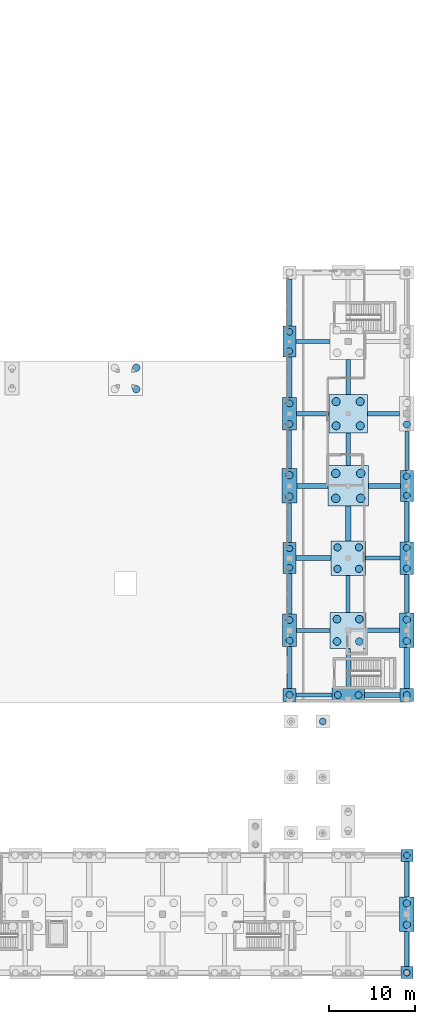
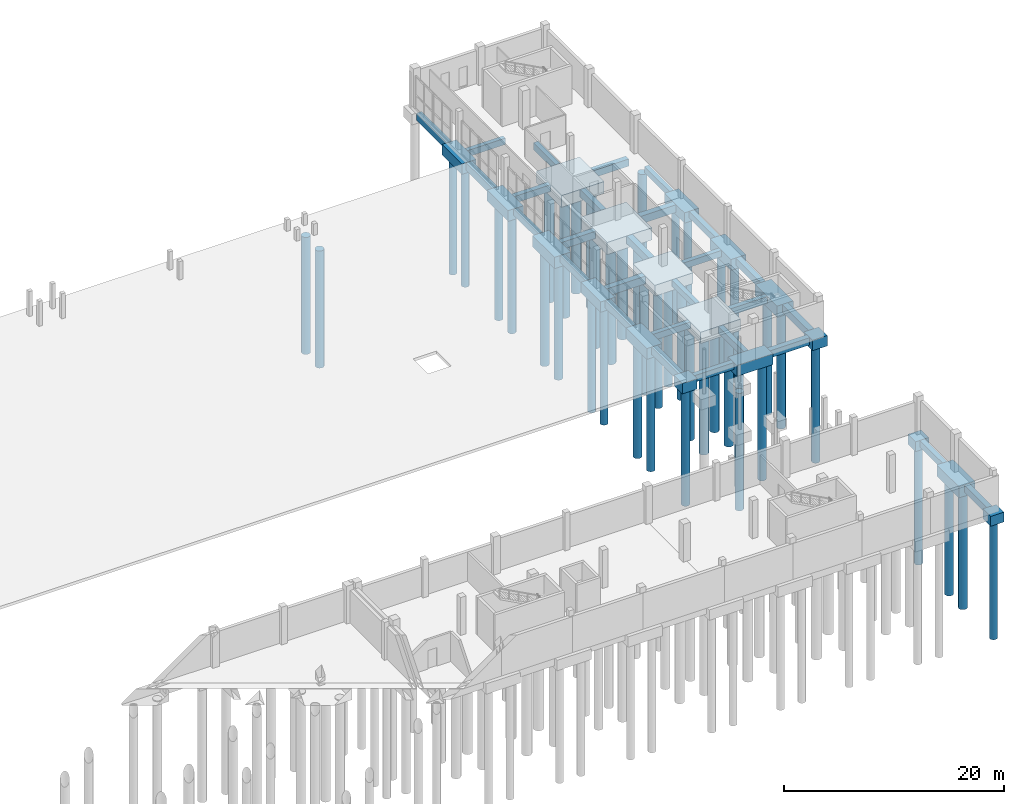
# One storey, part 9 of 41: 46 footings, 44 piles.
"""IFC4 building model written with IfcOpenShell, lengths in metres."""

from ifc_helpers import new_model, si_unit, direction, frame, origin, origin_2d, place, context, subcontext, project, spatial, rectangle, circle, extrude, material, material_profile, profile_set, type_object, element, save


model = new_model("IFC4")

# Units and contexts
model_context = context("Model", 3, precision=1e-05, world=origin(), true_north=direction((0.0, 1.0)))
body_context = subcontext(model_context, "Body", "Model", "MODEL_VIEW")
ifc_project = project(units=[si_unit("LENGTHUNIT", "METRE"), si_unit("AREAUNIT", "SQUARE_METRE"), si_unit("VOLUMEUNIT", "CUBIC_METRE"), si_unit("PLANEANGLEUNIT", "RADIAN"), si_unit("MASSUNIT", "GRAM", prefix="KILO")], contexts=[model_context])

# Site, building, storey
site_placement = place(None, origin())
site = spatial("IfcSite", under=ifc_project, at=site_placement, CompositionType="ELEMENT")
building_placement = place(site_placement, origin())
building = spatial("IfcBuilding", under=site, at=building_placement, Name="Vardoun Plaza Health Centre", CompositionType="ELEMENT")
storey_placement = place(building_placement, frame((0.0, 0.0, -4.5)))
storey = spatial("IfcBuildingStorey", under=building, at=storey_placement, Name="B1", CompositionType="ELEMENT", Elevation=-4.5)

# Footings
ifc_material_1 = material(Name="Concrete C40/50", Category="concrete")
footing_type_1 = type_object("IfcFootingType", Name="PC-01", PredefinedType="PILE_CAP", material=ifc_material_1)
for number, where, z_axis, x_axis, name in (
    (1, (164.919921875, 4.8798828125, -1.52001953125), (0.0, 0.0, 1.0), (1.0, 0.0, 0.0), "V5 Pile Cap PC-V5-25"),
    (2, (164.919921875, 18.52001953125, -1.52001953125), (0.0, 0.0, 1.0), (1.0, 0.0, 0.0), "V5 Pile Cap PC-V5-27"),
):
    element("IfcFooting", number, at=place(storey_placement, frame(where, z_axis=z_axis, x_axis=x_axis)), inside=storey, type_object=footing_type_1, Name=name, PredefinedType="PILE_CAP", context=body_context, shape_type="SweptSolid", body=[
        extrude(rectangle(XDim=1.39990234375, YDim=1.39990234375, at=origin_2d()), origin(), (0.0, 0.0, 1.0), 1.10009765625),
    ])
ifc_material_2 = material(Name="Concrete C40/50", Category="concrete")
footing_type_2 = type_object("IfcFootingType", Name="PC-02", PredefinedType="PILE_CAP", material=ifc_material_2)
for number, where, z_axis, x_axis, name in (
    (3, (151.280029296875, 37.179931640625, -1.570068359375), (0.0, 0.0, 1.0), (1.0, 0.0, 0.0), "V6 Pile Cap PC-V6-01"),
    (4, (164.919921875, 37.179931640625, -1.570068359375), (0.0, 0.0, 1.0), (1.0, 0.0, 0.0), "V6 Pile Cap PC-V6-15"),
):
    element("IfcFooting", number, at=place(storey_placement, frame(where, z_axis=z_axis, x_axis=x_axis)), inside=storey, type_object=footing_type_2, Name=name, PredefinedType="PILE_CAP", context=body_context, shape_type="SweptSolid", body=[
        extrude(rectangle(XDim=1.550048828125, YDim=1.550048828125, at=origin_2d()), origin(), (0.0, 0.0, 1.0), 1.14990234375),
    ])
ifc_material_3 = material(Name="Concrete C40/50", Category="concrete")
footing_type_3 = type_object("IfcFootingType", Name="PC-03", PredefinedType="PILE_CAP", material=ifc_material_3)
for number, where, z_axis, x_axis, name in (
    (5, (151.280029296875, 53.10009765625, -1.570068359375), (0.0, 0.0, 1.0), (0.0, 1.0, 0.0), "V6 Pile Cap PC-V6-03"),
    (6, (151.280029296875, 78.300048828125, -1.570068359375), (0.0, 0.0, 1.0), (0.0, 1.0, 0.0), "V6 Pile Cap PC-V6-06"),
    (7, (164.919921875, 61.5, -1.570068359375), (0.0, 0.0, 1.0), (0.0, 1.0, 0.0), "V6 Pile Cap PC-V6-18"),
):
    element("IfcFooting", number, at=place(storey_placement, frame(where, z_axis=z_axis, x_axis=x_axis)), inside=storey, type_object=footing_type_3, Name=name, PredefinedType="PILE_CAP", context=body_context, shape_type="SweptSolid", body=[
        extrude(rectangle(XDim=3.60009765625, YDim=1.5, at=origin_2d()), origin(), (0.0, 0.0, 1.0), 1.14990234375),
    ])
ifc_material_4 = material(Name="Concrete C40/50", Category="concrete")
footing_type_4 = type_object("IfcFootingType", Name="PC-04", PredefinedType="PILE_CAP", material=ifc_material_4)
for number, where, z_axis, x_axis, name in (
    (8, (151.280029296875, 44.699951171875, -1.6201171875), (0.0, 0.0, 1.0), (0.0, 1.0, 0.0), "V6 Pile Cap PC-V6-02"),
    (9, (151.280029296875, 69.89990234375, -1.6201171875), (0.0, 0.0, 1.0), (0.0, 1.0, 0.0), "V6 Pile Cap PC-V6-05"),
    (10, (158.10009765625, 37.179931640625, -1.6201171875), (0.0, 0.0, 1.0), (1.0, 0.0, 0.0), "V6 Pile Cap PC-V6-08"),
    (11, (164.919921875, 53.10009765625, -1.6201171875), (0.0, 0.0, 1.0), (0.0, 1.0, 0.0), "V6 Pile Cap PC-V6-17"),
):
    element("IfcFooting", number, at=place(storey_placement, frame(where, z_axis=z_axis, x_axis=x_axis)), inside=storey, type_object=footing_type_4, Name=name, PredefinedType="PILE_CAP", context=body_context, shape_type="SweptSolid", body=[
        extrude(rectangle(XDim=3.800048828125, YDim=1.60009765625, at=origin_2d()), origin(), (0.0, 0.0, 1.0), 1.199951171875),
    ])
ifc_material_5 = material(Name="Concrete C40/50", Category="concrete")
footing_type_5 = type_object("IfcFootingType", Name="PC-05", PredefinedType="PILE_CAP", material=ifc_material_5)
for number, where, z_axis, x_axis, name in (
    (12, (164.919921875, 11.699951171875, -1.669921875), (0.0, 0.0, 1.0), (0.0, 1.0, 0.0), "V5 Pile Cap PC-V5-26"),
    (13, (151.280029296875, 61.5, -1.669921875), (0.0, 0.0, 1.0), (0.0, 1.0, 0.0), "V6 Pile Cap PC-V6-04"),
    (14, (164.919921875, 44.699951171875, -1.669921875), (0.0, 0.0, 1.0), (0.0, 1.0, 0.0), "V6 Pile Cap PC-V6-16"),
):
    element("IfcFooting", number, at=place(storey_placement, frame(where, z_axis=z_axis, x_axis=x_axis)), inside=storey, type_object=footing_type_5, Name=name, PredefinedType="PILE_CAP", context=body_context, shape_type="SweptSolid", body=[
        extrude(rectangle(XDim=4.0, YDim=1.699951171875, at=origin_2d()), origin(), (0.0, 0.0, 1.0), 1.25),
    ])
ifc_material_6 = material(Name="Concrete C40/50", Category="concrete")
footing_type_6 = type_object("IfcFootingType", Name="PC-06", PredefinedType="PILE_CAP", material=ifc_material_6)
footing_1_placement = place(storey_placement, frame((158.10009765625, 53.10009765625, -1.6201171875), z_axis=(0.0, 0.0, 1.0), x_axis=(1.0, 0.0, 0.0)))
element("IfcFooting", 15, at=footing_1_placement, inside=storey, type_object=footing_type_6, Name="V6 Pile Cap PC-V6-10", PredefinedType="PILE_CAP", context=body_context, shape_type="SweptSolid", body=[
    extrude(rectangle(XDim=4.0, YDim=4.0, at=origin_2d()), origin(), (0.0, 0.0, 1.0), 1.199951171875),
])
ifc_material_7 = material(Name="Concrete C40/50", Category="concrete")
footing_type_7 = type_object("IfcFootingType", Name="PC-07", PredefinedType="PILE_CAP", material=ifc_material_7)
footing_2_placement = place(storey_placement, frame((158.10009765625, 44.699951171875, -1.669921875), z_axis=(0.0, 0.0, 1.0), x_axis=(1.0, 0.0, 0.0)))
element("IfcFooting", 16, at=footing_2_placement, inside=storey, type_object=footing_type_7, Name="V6 Pile Cap PC-V6-09", PredefinedType="PILE_CAP", context=body_context, shape_type="SweptSolid", body=[
    extrude(rectangle(XDim=4.199951171875, YDim=4.199951171875, at=origin_2d()), origin(), (0.0, 0.0, 1.0), 1.25),
])
ifc_material_8 = material(Name="Concrete C40/50", Category="concrete")
footing_type_8 = type_object("IfcFootingType", Name="PC-08", PredefinedType="PILE_CAP", material=ifc_material_8)
footing_3_placement = place(storey_placement, frame((158.10009765625, 69.89990234375, -1.72021484375), z_axis=(0.0, 0.0, 1.0), x_axis=(1.0, 0.0, 0.0)))
element("IfcFooting", 17, at=footing_3_placement, inside=storey, type_object=footing_type_8, Name="V6 Pile Cap PC-V6-12", PredefinedType="PILE_CAP", context=body_context, shape_type="SweptSolid", body=[
    extrude(rectangle(XDim=4.5, YDim=4.5, at=origin_2d()), origin(), (0.0, 0.0, 1.0), 1.300048828125),
])
ifc_material_9 = material(Name="Concrete C40/50", Category="concrete")
footing_type_9 = type_object("IfcFootingType", Name="PC-09", PredefinedType="PILE_CAP", material=ifc_material_9)
footing_4_placement = place(storey_placement, frame((158.10009765625, 61.5, -1.77001953125), z_axis=(0.0, 0.0, 1.0), x_axis=(1.0, 0.0, 0.0)))
element("IfcFooting", 18, at=footing_4_placement, inside=storey, type_object=footing_type_9, Name="V6 Pile Cap PC-V6-11", PredefinedType="PILE_CAP", context=body_context, shape_type="SweptSolid", body=[
    extrude(rectangle(XDim=4.699951171875, YDim=4.699951171875, at=origin_2d()), origin(), (0.0, 0.0, 1.0), 1.35009765625),
])
ifc_material_10 = material(Name="Concrete C40/50", Category="concrete")
ifc_material_profile_1 = material_profile(ifc_material_10, rectangle(XDim=0.449951171875, YDim=0.699951171875, at=origin_2d()), Name="GB 450x700")
ifc_profile_set_1 = profile_set([ifc_material_profile_1], Name="Concrete C40/50")
footing_type_10 = type_object("IfcFootingType", Name="GB-01", PredefinedType="FOOTING_BEAM", material=ifc_profile_set_1)
footing_5_placement = place(storey_placement, frame((152.080078125, 44.699951171875, -0.77001953125), z_axis=(1.0, 0.0, 0.0), x_axis=(0.0, 1.0, 0.0)))
element("IfcFooting", 19, at=footing_5_placement, inside=storey, type_object=footing_type_10, Name="V6 Ground Tie Beam 2", PredefinedType="FOOTING_BEAM", context=body_context, shape_type="SweptSolid", body=[
    extrude(rectangle(XDim=0.449951171875, YDim=0.699951171875, at=origin_2d()), origin(), (0.0, 0.0, 1.0), 3.919921875),
])
footing_6_placement = place(storey_placement, frame((152.030029296875, 78.300048828125, -0.77001953125), z_axis=(1.0, 0.0, 0.0), x_axis=(0.0, 1.0, 0.0)))
element("IfcFooting", 20, at=footing_6_placement, inside=storey, type_object=footing_type_10, Name="V6 Ground Tie Beam 6", PredefinedType="FOOTING_BEAM", context=body_context, shape_type="SweptSolid", body=[
    extrude(rectangle(XDim=0.449951171875, YDim=0.699951171875, at=origin_2d()), origin(), (0.0, 0.0, 1.0), 3.969970703125),
])
footing_7_placement = place(storey_placement, frame((160.10009765625, 53.10009765625, -0.77001953125), z_axis=(1.0, 0.0, 0.0), x_axis=(0.0, 1.0, 0.0)))
element("IfcFooting", 21, at=footing_7_placement, inside=storey, type_object=footing_type_10, Name="V6 Ground Tie Beam 10", PredefinedType="FOOTING_BEAM", context=body_context, shape_type="SweptSolid", body=[
    extrude(rectangle(XDim=0.449951171875, YDim=0.699951171875, at=origin_2d()), origin(), (0.0, 0.0, 1.0), 4.02001953125),
])
footing_8_placement = place(storey_placement, frame((151.280029296875, 63.5, -0.77001953125), z_axis=(0.0, 1.0, 0.0), x_axis=(-1.0, 0.0, 0.0)))
element("IfcFooting", 22, at=footing_8_placement, inside=storey, type_object=footing_type_10, Name="V6 Ground Tie Beam 18", PredefinedType="FOOTING_BEAM", context=body_context, shape_type="SweptSolid", body=[
    extrude(rectangle(XDim=0.449951171875, YDim=0.699951171875, at=origin_2d()), origin(), (0.0, 0.0, 1.0), 4.5),
])
footing_9_placement = place(storey_placement, frame((158.10009765625, 46.800048828125, -0.77001953125), z_axis=(0.0, 1.0, 0.0), x_axis=(-1.0, 0.0, 0.0)))
element("IfcFooting", 23, at=footing_9_placement, inside=storey, type_object=footing_type_10, Name="V6 Ground Tie Beam 22", PredefinedType="FOOTING_BEAM", context=body_context, shape_type="SweptSolid", body=[
    extrude(rectangle(XDim=0.449951171875, YDim=0.699951171875, at=origin_2d()), origin(), (0.0, 0.0, 1.0), 4.300048828125),
])
footing_10_placement = place(storey_placement, frame((164.919921875, 63.300048828125, -0.77001953125), z_axis=(0.0, 1.0, 0.0), x_axis=(-1.0, 0.0, 0.0)))
element("IfcFooting", 24, at=footing_10_placement, inside=storey, type_object=footing_type_10, Name="V6 Ground Tie Beam 30", PredefinedType="FOOTING_BEAM", context=body_context, shape_type="SweptSolid", body=[
    extrude(rectangle(XDim=0.449951171875, YDim=0.699951171875, at=origin_2d()), origin(), (0.0, 0.0, 1.0), 4.60009765625),
])
ifc_material_11 = material(Name="Concrete C40/50", Category="concrete")
ifc_material_profile_2 = material_profile(ifc_material_11, rectangle(XDim=0.5, YDim=0.75, at=origin_2d()), Name="GB 500x750")
ifc_profile_set_2 = profile_set([ifc_material_profile_2], Name="Concrete C40/50")
footing_type_11 = type_object("IfcFootingType", Name="GB-02", PredefinedType="FOOTING_BEAM", material=ifc_profile_set_2)
footing_11_placement = place(storey_placement, frame((164.919921875, 13.699951171875, -0.794921875), z_axis=(0.0, 1.0, 0.0), x_axis=(-1.0, 0.0, 0.0)))
element("IfcFooting", 25, at=footing_11_placement, inside=storey, type_object=footing_type_11, Name="V5 Ground Tie Beam 42", PredefinedType="FOOTING_BEAM", context=body_context, shape_type="SweptSolid", body=[
    extrude(rectangle(XDim=0.5, YDim=0.75, at=origin_2d()), origin(), (0.0, 0.0, 1.0), 4.1201171875),
])
footing_12_placement = place(storey_placement, frame((152.054931640625, 37.179931640625, -0.794921875), z_axis=(1.0, 0.0, 0.0), x_axis=(0.0, 1.0, 0.0)))
element("IfcFooting", 26, at=footing_12_placement, inside=storey, type_object=footing_type_11, Name="V6 Ground Tie Beam 1", PredefinedType="FOOTING_BEAM", context=body_context, shape_type="SweptSolid", body=[
    extrude(rectangle(XDim=0.5, YDim=0.75, at=origin_2d()), origin(), (0.0, 0.0, 1.0), 4.14501953125),
])
footing_13_placement = place(storey_placement, frame((152.080078125, 69.900146484375, -0.794921875), z_axis=(1.0, 0.0, 0.0), x_axis=(0.0, 1.0, 0.0)))
element("IfcFooting", 27, at=footing_13_placement, inside=storey, type_object=footing_type_11, Name="V6 Ground Tie Beam 5", PredefinedType="FOOTING_BEAM", context=body_context, shape_type="SweptSolid", body=[
    extrude(rectangle(XDim=0.5, YDim=0.75, at=origin_2d()), origin(), (0.0, 0.0, 1.0), 3.77001953125),
])
footing_14_placement = place(storey_placement, frame((160.199951171875, 44.699951171875, -0.794921875), z_axis=(1.0, 0.0, 0.0), x_axis=(0.0, 1.0, 0.0)))
element("IfcFooting", 28, at=footing_14_placement, inside=storey, type_object=footing_type_11, Name="V6 Ground Tie Beam 9", PredefinedType="FOOTING_BEAM", context=body_context, shape_type="SweptSolid", body=[
    extrude(rectangle(XDim=0.5, YDim=0.75, at=origin_2d()), origin(), (0.0, 0.0, 1.0), 3.8701171875),
])
footing_15_placement = place(storey_placement, frame((151.280029296875, 54.900146484375, -0.794921875), z_axis=(0.0, 1.0, 0.0), x_axis=(-1.0, 0.0, 0.0)))
element("IfcFooting", 29, at=footing_15_placement, inside=storey, type_object=footing_type_11, Name="V6 Ground Tie Beam 17", PredefinedType="FOOTING_BEAM", context=body_context, shape_type="SweptSolid", body=[
    extrude(rectangle(XDim=0.5, YDim=0.75, at=origin_2d()), origin(), (0.0, 0.0, 1.0), 4.599853515625),
])
footing_16_placement = place(storey_placement, frame((158.10009765625, 37.97998046875, -0.794921875), z_axis=(0.0, 1.0, 0.0), x_axis=(-1.0, 0.0, 0.0)))
element("IfcFooting", 30, at=footing_16_placement, inside=storey, type_object=footing_type_11, Name="V6 Ground Tie Beam 21", PredefinedType="FOOTING_BEAM", context=body_context, shape_type="SweptSolid", body=[
    extrude(rectangle(XDim=0.5, YDim=0.75, at=origin_2d()), origin(), (0.0, 0.0, 1.0), 4.6201171875),
])
footing_17_placement = place(storey_placement, frame((158.10009765625, 72.150146484375, -0.794921875), z_axis=(0.0, 1.0, 0.0), x_axis=(-1.0, 0.0, 0.0)))
element("IfcFooting", 31, at=footing_17_placement, inside=storey, type_object=footing_type_11, Name="V6 Ground Tie Beam 25", PredefinedType="FOOTING_BEAM", context=body_context, shape_type="SweptSolid", body=[
    extrude(rectangle(XDim=0.5, YDim=0.75, at=origin_2d()), origin(), (0.0, 0.0, 1.0), 4.0498046875),
])
footing_18_placement = place(storey_placement, frame((164.919921875, 55.0, -0.794921875), z_axis=(0.0, 1.0, 0.0), x_axis=(-1.0, 0.0, 0.0)))
element("IfcFooting", 32, at=footing_18_placement, inside=storey, type_object=footing_type_11, Name="V6 Ground Tie Beam 29", PredefinedType="FOOTING_BEAM", context=body_context, shape_type="SweptSolid", body=[
    extrude(rectangle(XDim=0.5, YDim=0.75, at=origin_2d()), origin(), (0.0, 0.0, 1.0), 4.699951171875),
])
ifc_material_12 = material(Name="Concrete C40/50", Category="concrete")
ifc_material_profile_3 = material_profile(ifc_material_12, rectangle(XDim=0.550048828125, YDim=0.800048828125, at=origin_2d()), Name="GB 550x800")
ifc_profile_set_3 = profile_set([ifc_material_profile_3], Name="Concrete C40/50")
footing_type_12 = type_object("IfcFootingType", Name="GB-03", PredefinedType="FOOTING_BEAM", material=ifc_profile_set_3)
footing_19_placement = place(storey_placement, frame((164.919921875, 5.580078125, -0.820068359375), z_axis=(0.0, 1.0, 0.0), x_axis=(-1.0, 0.0, 0.0)))
element("IfcFooting", 33, at=footing_19_placement, inside=storey, type_object=footing_type_12, Name="V5 Ground Tie Beam 41", PredefinedType="FOOTING_BEAM", context=body_context, shape_type="SweptSolid", body=[
    extrude(rectangle(XDim=0.550048828125, YDim=0.800048828125, at=origin_2d()), origin(), (0.0, 0.0, 1.0), 4.119873046875),
])
footing_20_placement = place(storey_placement, frame((152.1298828125, 61.5, -0.820068359375), z_axis=(1.0, 0.0, 0.0), x_axis=(0.0, 1.0, 0.0)))
element("IfcFooting", 34, at=footing_20_placement, inside=storey, type_object=footing_type_12, Name="V6 Ground Tie Beam 4", PredefinedType="FOOTING_BEAM", context=body_context, shape_type="SweptSolid", body=[
    extrude(rectangle(XDim=0.550048828125, YDim=0.800048828125, at=origin_2d()), origin(), (0.0, 0.0, 1.0), 3.6201171875),
])
footing_21_placement = place(storey_placement, frame((160.0, 37.179931640625, -0.820068359375), z_axis=(1.0, 0.0, 0.0), x_axis=(0.0, 1.0, 0.0)))
element("IfcFooting", 35, at=footing_21_placement, inside=storey, type_object=footing_type_12, Name="V6 Ground Tie Beam 8", PredefinedType="FOOTING_BEAM", context=body_context, shape_type="SweptSolid", body=[
    extrude(rectangle(XDim=0.550048828125, YDim=0.800048828125, at=origin_2d()), origin(), (0.0, 0.0, 1.0), 4.14501953125),
])
footing_22_placement = place(storey_placement, frame((160.35009765625, 69.900146484375, -0.820068359375), z_axis=(1.0, 0.0, 0.0), x_axis=(0.0, 1.0, 0.0)))
element("IfcFooting", 36, at=footing_22_placement, inside=storey, type_object=footing_type_12, Name="V6 Ground Tie Beam 12", PredefinedType="FOOTING_BEAM", context=body_context, shape_type="SweptSolid", body=[
    extrude(rectangle(XDim=0.550048828125, YDim=0.800048828125, at=origin_2d()), origin(), (0.0, 0.0, 1.0), 3.719970703125),
])
footing_23_placement = place(storey_placement, frame((151.280029296875, 46.60009765625, -0.820068359375), z_axis=(0.0, 1.0, 0.0), x_axis=(-1.0, 0.0, 0.0)))
element("IfcFooting", 37, at=footing_23_placement, inside=storey, type_object=footing_type_12, Name="V6 Ground Tie Beam 16", PredefinedType="FOOTING_BEAM", context=body_context, shape_type="SweptSolid", body=[
    extrude(rectangle(XDim=0.550048828125, YDim=0.800048828125, at=origin_2d()), origin(), (0.0, 0.0, 1.0), 4.699951171875),
])
footing_24_placement = place(storey_placement, frame((151.280029296875, 80.10009765625, -0.820068359375), z_axis=(0.0, 1.0, 0.0), x_axis=(-1.0, 0.0, 0.0)))
element("IfcFooting", 38, at=footing_24_placement, inside=storey, type_object=footing_type_12, Name="V6 Ground Tie Beam 20", PredefinedType="FOOTING_BEAM", context=body_context, shape_type="SweptSolid", body=[
    extrude(rectangle(XDim=0.550048828125, YDim=0.800048828125, at=origin_2d()), origin(), (0.0, 0.0, 1.0), 5.44482421875),
])
footing_25_placement = place(storey_placement, frame((158.10009765625, 63.85009765625, -0.820068359375), z_axis=(0.0, 1.0, 0.0), x_axis=(-1.0, 0.0, 0.0)))
element("IfcFooting", 39, at=footing_25_placement, inside=storey, type_object=footing_type_12, Name="V6 Ground Tie Beam 24", PredefinedType="FOOTING_BEAM", context=body_context, shape_type="SweptSolid", body=[
    extrude(rectangle(XDim=0.550048828125, YDim=0.800048828125, at=origin_2d()), origin(), (0.0, 0.0, 1.0), 3.800048828125),
])
footing_26_placement = place(storey_placement, frame((164.919921875, 46.699951171875, -0.820068359375), z_axis=(0.0, 1.0, 0.0), x_axis=(-1.0, 0.0, 0.0)))
element("IfcFooting", 40, at=footing_26_placement, inside=storey, type_object=footing_type_12, Name="V6 Ground Tie Beam 28", PredefinedType="FOOTING_BEAM", context=body_context, shape_type="SweptSolid", body=[
    extrude(rectangle(XDim=0.550048828125, YDim=0.800048828125, at=origin_2d()), origin(), (0.0, 0.0, 1.0), 4.5),
])
ifc_material_13 = material(Name="Concrete C40/50", Category="concrete")
ifc_material_profile_4 = material_profile(ifc_material_13, rectangle(XDim=0.60009765625, YDim=0.85009765625, at=origin_2d()), Name="GB 600x850")
ifc_profile_set_4 = profile_set([ifc_material_profile_4], Name="Concrete C40/50")
footing_type_13 = type_object("IfcFootingType", Name="GB-04", PredefinedType="FOOTING_BEAM", material=ifc_profile_set_4)
footing_27_placement = place(storey_placement, frame((152.030029296875, 53.10009765625, -0.844970703125), z_axis=(1.0, 0.0, 0.0), x_axis=(0.0, 1.0, 0.0)))
element("IfcFooting", 41, at=footing_27_placement, inside=storey, type_object=footing_type_13, Name="V6 Ground Tie Beam 3", PredefinedType="FOOTING_BEAM", context=body_context, shape_type="SweptSolid", body=[
    extrude(rectangle(XDim=0.60009765625, YDim=0.85009765625, at=origin_2d()), origin(), (0.0, 0.0, 1.0), 4.070068359375),
])
footing_28_placement = place(storey_placement, frame((160.449951171875, 61.5, -0.844970703125), z_axis=(1.0, 0.0, 0.0), x_axis=(0.0, 1.0, 0.0)))
element("IfcFooting", 42, at=footing_28_placement, inside=storey, type_object=footing_type_13, Name="V6 Ground Tie Beam 11", PredefinedType="FOOTING_BEAM", context=body_context, shape_type="SweptSolid", body=[
    extrude(rectangle(XDim=0.60009765625, YDim=0.85009765625, at=origin_2d()), origin(), (0.0, 0.0, 1.0), 3.719970703125),
])
footing_29_placement = place(storey_placement, frame((151.280029296875, 37.955078125, -0.844970703125), z_axis=(0.0, 1.0, 0.0), x_axis=(-1.0, 0.0, 0.0)))
element("IfcFooting", 43, at=footing_29_placement, inside=storey, type_object=footing_type_13, Name="V6 Ground Tie Beam 15", PredefinedType="FOOTING_BEAM", context=body_context, shape_type="SweptSolid", body=[
    extrude(rectangle(XDim=0.60009765625, YDim=0.85009765625, at=origin_2d()), origin(), (0.0, 0.0, 1.0), 4.844970703125),
])
footing_30_placement = place(storey_placement, frame((151.280029296875, 71.800048828125, -0.844970703125), z_axis=(0.0, 1.0, 0.0), x_axis=(-1.0, 0.0, 0.0)))
element("IfcFooting", 44, at=footing_30_placement, inside=storey, type_object=footing_type_13, Name="V6 Ground Tie Beam 19", PredefinedType="FOOTING_BEAM", context=body_context, shape_type="SweptSolid", body=[
    extrude(rectangle(XDim=0.60009765625, YDim=0.85009765625, at=origin_2d()), origin(), (0.0, 0.0, 1.0), 4.699951171875),
])
footing_31_placement = place(storey_placement, frame((158.10009765625, 55.10009765625, -0.844970703125), z_axis=(0.0, 1.0, 0.0), x_axis=(-1.0, 0.0, 0.0)))
element("IfcFooting", 45, at=footing_31_placement, inside=storey, type_object=footing_type_13, Name="V6 Ground Tie Beam 23", PredefinedType="FOOTING_BEAM", context=body_context, shape_type="SweptSolid", body=[
    extrude(rectangle(XDim=0.60009765625, YDim=0.85009765625, at=origin_2d()), origin(), (0.0, 0.0, 1.0), 4.050048828125),
])
footing_32_placement = place(storey_placement, frame((164.919921875, 37.955078125, -0.844970703125), z_axis=(0.0, 1.0, 0.0), x_axis=(-1.0, 0.0, 0.0)))
element("IfcFooting", 46, at=footing_32_placement, inside=storey, type_object=footing_type_13, Name="V6 Ground Tie Beam 27", PredefinedType="FOOTING_BEAM", context=body_context, shape_type="SweptSolid", body=[
    extrude(rectangle(XDim=0.60009765625, YDim=0.85009765625, at=origin_2d()), origin(), (0.0, 0.0, 1.0), 4.744873046875),
])

# Piles
ifc_material_14 = material(Name="Concrete C40/50", Category="concrete")
ifc_material_profile_5 = material_profile(ifc_material_14, circle(Radius=0.5, at=origin_2d()), Name="PILE D1000")
ifc_profile_set_5 = profile_set([ifc_material_profile_5], Name="Concrete C40/50")
pile_type_1 = type_object("IfcPileType", Name="PL-06", PredefinedType="BORED", material=ifc_profile_set_5)
for number, where, z_axis, x_axis, name in (
    (47, (156.64990234375, 60.050048828125, -1.669921875), (0.0, 0.0, -1.0), (1.0, 0.0, 0.0), "V6 Bored Pile PL-V6-11A"),
    (48, (159.550048828125, 60.050048828125, -1.669921875), (0.0, 0.0, -1.0), (1.0, 0.0, 0.0), "V6 Bored Pile PL-V6-11B"),
    (49, (156.64990234375, 62.949951171875, -1.669921875), (0.0, 0.0, -1.0), (1.0, 0.0, 0.0), "V6 Bored Pile PL-V6-11C"),
    (50, (159.550048828125, 62.949951171875, -1.669921875), (0.0, 0.0, -1.0), (1.0, 0.0, 0.0), "V6 Bored Pile PL-V6-11D"),
):
    element("IfcPile", number, at=place(storey_placement, frame(where, z_axis=z_axis, x_axis=x_axis)), inside=storey, type_object=pile_type_1, Name=name, PredefinedType="BORED", context=body_context, shape_type="SweptSolid", body=[
        extrude(circle(Radius=0.5, at=origin_2d()), origin(), (0.0, 0.0, 1.0), 12.830078125),
    ])
ifc_material_15 = material(Name="Concrete C40/50", Category="concrete")
ifc_material_profile_6 = material_profile(ifc_material_15, circle(Radius=0.375, at=origin_2d()), Name="PILE D750")
ifc_profile_set_6 = profile_set([ifc_material_profile_6], Name="Concrete C40/50")
pile_type_2 = type_object("IfcPileType", Name="PL-01", PredefinedType="BORED", material=ifc_profile_set_6)
for number, where, z_axis, x_axis, name in (
    (51, (164.919921875, 4.8798828125, -1.419921875), (0.0, 0.0, -1.0), (1.0, 0.0, 0.0), "V5 Bored Pile PL-V5-25A"),
    (52, (164.919921875, 18.52001953125, -1.419921875), (0.0, 0.0, -1.0), (1.0, 0.0, 0.0), "V5 Bored Pile PL-V5-27A"),
):
    element("IfcPile", number, at=place(storey_placement, frame(where, z_axis=z_axis, x_axis=x_axis)), inside=storey, type_object=pile_type_2, Name=name, PredefinedType="BORED", context=body_context, shape_type="SweptSolid", body=[
        extrude(circle(Radius=0.375, at=origin_2d()), origin(), (0.0, 0.0, 1.0), 13.080078125),
    ])
for number, where, z_axis, x_axis, name in (
    (53, (151.280029296875, 51.97998046875, -1.469970703125), (0.0, 0.0, -1.0), (1.0, 0.0, 0.0), "V6 Bored Pile PL-V6-03A"),
    (54, (151.280029296875, 54.219970703125, -1.469970703125), (0.0, 0.0, -1.0), (1.0, 0.0, 0.0), "V6 Bored Pile PL-V6-03B"),
    (55, (151.280029296875, 77.179931640625, -1.469970703125), (0.0, 0.0, -1.0), (1.0, 0.0, 0.0), "V6 Bored Pile PL-V6-06A"),
    (56, (151.280029296875, 79.419921875, -1.469970703125), (0.0, 0.0, -1.0), (1.0, 0.0, 0.0), "V6 Bored Pile PL-V6-06B"),
    (57, (164.919921875, 60.3798828125, -1.469970703125), (0.0, 0.0, -1.0), (1.0, 0.0, 0.0), "V6 Bored Pile PL-V6-18A"),
    (58, (164.919921875, 62.6201171875, -1.469970703125), (0.0, 0.0, -1.0), (1.0, 0.0, 0.0), "V6 Bored Pile PL-V6-18B"),
):
    element("IfcPile", number, at=place(storey_placement, frame(where, z_axis=z_axis, x_axis=x_axis)), inside=storey, type_object=pile_type_2, Name=name, PredefinedType="BORED", context=body_context, shape_type="SweptSolid", body=[
        extrude(circle(Radius=0.375, at=origin_2d()), origin(), (0.0, 0.0, 1.0), 13.030029296875),
    ])
ifc_material_16 = material(Name="Concrete C40/50", Category="concrete")
ifc_material_profile_7 = material_profile(ifc_material_16, circle(Radius=0.39990234375, at=origin_2d()), Name="PILE D800")
ifc_profile_set_7 = profile_set([ifc_material_profile_7], Name="Concrete C40/50")
pile_type_3 = type_object("IfcPileType", Name="PL-02", PredefinedType="BORED", material=ifc_profile_set_7)
pile_1_placement = place(storey_placement, frame((151.280029296875, 37.179931640625, -1.469970703125), z_axis=(0.0, 0.0, -1.0), x_axis=(1.0, 0.0, 0.0)))
element("IfcPile", 59, at=pile_1_placement, inside=storey, type_object=pile_type_3, Name="V6 Bored Pile PL-V6-01A", PredefinedType="BORED", context=body_context, shape_type="SweptSolid", body=[
    extrude(circle(Radius=0.39990234375, at=origin_2d()), origin(), (0.0, 0.0, 1.0), 13.030029296875),
])
for number, where, z_axis, x_axis, name in (
    (60, (151.280029296875, 43.5, -1.52001953125), (0.0, 0.0, -1.0), (1.0, 0.0, 0.0), "V6 Bored Pile PL-V6-02A"),
    (61, (151.280029296875, 45.89990234375, -1.52001953125), (0.0, 0.0, -1.0), (1.0, 0.0, 0.0), "V6 Bored Pile PL-V6-02B"),
    (62, (151.280029296875, 68.699951171875, -1.52001953125), (0.0, 0.0, -1.0), (1.0, 0.0, 0.0), "V6 Bored Pile PL-V6-05A"),
    (63, (151.280029296875, 71.10009765625, -1.52001953125), (0.0, 0.0, -1.0), (1.0, 0.0, 0.0), "V6 Bored Pile PL-V6-05B"),
    (64, (156.89990234375, 37.179931640625, -1.52001953125), (0.0, 0.0, -1.0), (1.0, 0.0, 0.0), "V6 Bored Pile PL-V6-08A"),
    (65, (159.300048828125, 37.179931640625, -1.52001953125), (0.0, 0.0, -1.0), (1.0, 0.0, 0.0), "V6 Bored Pile PL-V6-08B"),
):
    element("IfcPile", number, at=place(storey_placement, frame(where, z_axis=z_axis, x_axis=x_axis)), inside=storey, type_object=pile_type_3, Name=name, PredefinedType="BORED", context=body_context, shape_type="SweptSolid", body=[
        extrude(circle(Radius=0.39990234375, at=origin_2d()), origin(), (0.0, 0.0, 1.0), 12.97998046875),
    ])
pile_2_placement = place(storey_placement, frame((164.919921875, 37.179931640625, -1.469970703125), z_axis=(0.0, 0.0, -1.0), x_axis=(1.0, 0.0, 0.0)))
element("IfcPile", 66, at=pile_2_placement, inside=storey, type_object=pile_type_3, Name="V6 Bored Pile PL-V6-15A", PredefinedType="BORED", context=body_context, shape_type="SweptSolid", body=[
    extrude(circle(Radius=0.39990234375, at=origin_2d()), origin(), (0.0, 0.0, 1.0), 13.030029296875),
])
for number, where, z_axis, x_axis, name in (
    (67, (164.919921875, 51.89990234375, -1.52001953125), (0.0, 0.0, -1.0), (1.0, 0.0, 0.0), "V6 Bored Pile PL-V6-17A"),
    (68, (164.919921875, 54.300048828125, -1.52001953125), (0.0, 0.0, -1.0), (1.0, 0.0, 0.0), "V6 Bored Pile PL-V6-17B"),
):
    element("IfcPile", number, at=place(storey_placement, frame(where, z_axis=z_axis, x_axis=x_axis)), inside=storey, type_object=pile_type_3, Name=name, PredefinedType="BORED", context=body_context, shape_type="SweptSolid", body=[
        extrude(circle(Radius=0.39990234375, at=origin_2d()), origin(), (0.0, 0.0, 1.0), 12.97998046875),
    ])
pile_3_placement = place(storey_placement, frame((155.14990234375, 34.10009765625, -1.469970703125), z_axis=(0.0, 0.0, -1.0), x_axis=(1.0, 0.0, 0.0)))
element("IfcPile", 69, at=pile_3_placement, inside=storey, type_object=pile_type_3, Name="Bridge BR-05 Pier Bored Pile E.3", PredefinedType="BORED", context=body_context, shape_type="SweptSolid", body=[
    extrude(circle(Radius=0.39990234375, at=origin_2d()), origin(), (0.0, 0.0, 1.0), 13.030029296875),
])
ifc_material_17 = material(Name="Concrete C40/50", Category="concrete")
ifc_material_profile_8 = material_profile(ifc_material_17, circle(Radius=0.425048828125, at=origin_2d()), Name="PILE D850")
ifc_profile_set_8 = profile_set([ifc_material_profile_8], Name="Concrete C40/50")
pile_type_4 = type_object("IfcPileType", Name="PL-03", PredefinedType="BORED", material=ifc_profile_set_8)
for number, where, z_axis, x_axis, name in (
    (70, (164.919921875, 10.449951171875, -1.570068359375), (0.0, 0.0, -1.0), (1.0, 0.0, 0.0), "V5 Bored Pile PL-V5-26A"),
    (71, (164.919921875, 12.949951171875, -1.570068359375), (0.0, 0.0, -1.0), (1.0, 0.0, 0.0), "V5 Bored Pile PL-V5-26B"),
    (72, (151.280029296875, 60.25, -1.570068359375), (0.0, 0.0, -1.0), (1.0, 0.0, 0.0), "V6 Bored Pile PL-V6-04A"),
    (73, (151.280029296875, 62.75, -1.570068359375), (0.0, 0.0, -1.0), (1.0, 0.0, 0.0), "V6 Bored Pile PL-V6-04B"),
):
    element("IfcPile", number, at=place(storey_placement, frame(where, z_axis=z_axis, x_axis=x_axis)), inside=storey, type_object=pile_type_4, Name=name, PredefinedType="BORED", context=body_context, shape_type="SweptSolid", body=[
        extrude(circle(Radius=0.425048828125, at=origin_2d()), origin(), (0.0, 0.0, 1.0), 12.929931640625),
    ])
for number, where, z_axis, x_axis, name in (
    (74, (156.85009765625, 51.85009765625, -1.52001953125), (0.0, 0.0, -1.0), (1.0, 0.0, 0.0), "V6 Bored Pile PL-V6-10A"),
    (75, (159.35009765625, 51.85009765625, -1.52001953125), (0.0, 0.0, -1.0), (1.0, 0.0, 0.0), "V6 Bored Pile PL-V6-10B"),
    (76, (156.85009765625, 54.35009765625, -1.52001953125), (0.0, 0.0, -1.0), (1.0, 0.0, 0.0), "V6 Bored Pile PL-V6-10C"),
    (77, (159.35009765625, 54.35009765625, -1.52001953125), (0.0, 0.0, -1.0), (1.0, 0.0, 0.0), "V6 Bored Pile PL-V6-10D"),
):
    element("IfcPile", number, at=place(storey_placement, frame(where, z_axis=z_axis, x_axis=x_axis)), inside=storey, type_object=pile_type_4, Name=name, PredefinedType="BORED", context=body_context, shape_type="SweptSolid", body=[
        extrude(circle(Radius=0.425048828125, at=origin_2d()), origin(), (0.0, 0.0, 1.0), 12.97998046875),
    ])
for number, where, z_axis, x_axis, name in (
    (78, (164.919921875, 43.449951171875, -1.570068359375), (0.0, 0.0, -1.0), (1.0, 0.0, 0.0), "V6 Bored Pile PL-V6-16A"),
    (79, (164.919921875, 45.949951171875, -1.570068359375), (0.0, 0.0, -1.0), (1.0, 0.0, 0.0), "V6 Bored Pile PL-V6-16B"),
    (80, (164.919921875, 68.64990234375, -1.570068359375), (0.0, 0.0, -1.0), (1.0, 0.0, 0.0), "V6 Bored Pile PL-V6-19A"),
):
    element("IfcPile", number, at=place(storey_placement, frame(where, z_axis=z_axis, x_axis=x_axis)), inside=storey, type_object=pile_type_4, Name=name, PredefinedType="BORED", context=body_context, shape_type="SweptSolid", body=[
        extrude(circle(Radius=0.425048828125, at=origin_2d()), origin(), (0.0, 0.0, 1.0), 12.929931640625),
    ])
for number, where, z_axis, x_axis, name in (
    (81, (133.449951171875, 72.75, -1.52001953125), (0.0, 0.0, -1.0), (1.0, 0.0, 0.0), "Ramp Cap 3 Bored Pile 2"),
    (82, (133.449951171875, 75.25, -1.52001953125), (0.0, 0.0, -1.0), (1.0, 0.0, 0.0), "Ramp Cap 3 Bored Pile 4"),
):
    element("IfcPile", number, at=place(storey_placement, frame(where, z_axis=z_axis, x_axis=x_axis)), inside=storey, type_object=pile_type_4, Name=name, PredefinedType="BORED", context=body_context, shape_type="SweptSolid", body=[
        extrude(circle(Radius=0.425048828125, at=origin_2d()), origin(), (0.0, 0.0, 1.0), 12.97998046875),
    ])
ifc_material_18 = material(Name="Concrete C40/50", Category="concrete")
ifc_material_profile_9 = material_profile(ifc_material_18, circle(Radius=0.449951171875, at=origin_2d()), Name="PILE D900")
ifc_profile_set_9 = profile_set([ifc_material_profile_9], Name="Concrete C40/50")
pile_type_5 = type_object("IfcPileType", Name="PL-04", PredefinedType="BORED", material=ifc_profile_set_9)
for number, where, z_axis, x_axis, name in (
    (83, (156.800048828125, 43.39990234375, -1.570068359375), (0.0, 0.0, -1.0), (1.0, 0.0, 0.0), "V6 Bored Pile PL-V6-09A"),
    (84, (159.39990234375, 43.39990234375, -1.570068359375), (0.0, 0.0, -1.0), (1.0, 0.0, 0.0), "V6 Bored Pile PL-V6-09B"),
    (85, (156.800048828125, 46.0, -1.570068359375), (0.0, 0.0, -1.0), (1.0, 0.0, 0.0), "V6 Bored Pile PL-V6-09C"),
    (86, (159.39990234375, 46.0, -1.570068359375), (0.0, 0.0, -1.0), (1.0, 0.0, 0.0), "V6 Bored Pile PL-V6-09D"),
):
    element("IfcPile", number, at=place(storey_placement, frame(where, z_axis=z_axis, x_axis=x_axis)), inside=storey, type_object=pile_type_5, Name=name, PredefinedType="BORED", context=body_context, shape_type="SweptSolid", body=[
        extrude(circle(Radius=0.449951171875, at=origin_2d()), origin(), (0.0, 0.0, 1.0), 12.929931640625),
    ])
ifc_material_19 = material(Name="Concrete C40/50", Category="concrete")
ifc_material_profile_10 = material_profile(ifc_material_19, circle(Radius=0.47509765625, at=origin_2d()), Name="PILE D950")
ifc_profile_set_10 = profile_set([ifc_material_profile_10], Name="Concrete C40/50")
pile_type_6 = type_object("IfcPileType", Name="PL-05", PredefinedType="BORED", material=ifc_profile_set_10)
for number, where, z_axis, x_axis, name in (
    (87, (156.699951171875, 68.5, -1.6201171875), (0.0, 0.0, -1.0), (1.0, 0.0, 0.0), "V6 Bored Pile PL-V6-12A"),
    (88, (159.5, 68.5, -1.6201171875), (0.0, 0.0, -1.0), (1.0, 0.0, 0.0), "V6 Bored Pile PL-V6-12B"),
    (89, (156.699951171875, 71.300048828125, -1.6201171875), (0.0, 0.0, -1.0), (1.0, 0.0, 0.0), "V6 Bored Pile PL-V6-12C"),
    (90, (159.5, 71.300048828125, -1.6201171875), (0.0, 0.0, -1.0), (1.0, 0.0, 0.0), "V6 Bored Pile PL-V6-12D"),
):
    element("IfcPile", number, at=place(storey_placement, frame(where, z_axis=z_axis, x_axis=x_axis)), inside=storey, type_object=pile_type_6, Name=name, PredefinedType="BORED", context=body_context, shape_type="SweptSolid", body=[
        extrude(circle(Radius=0.47509765625, at=origin_2d()), origin(), (0.0, 0.0, 1.0), 12.8798828125),
    ])

save(model, "model.ifc")
